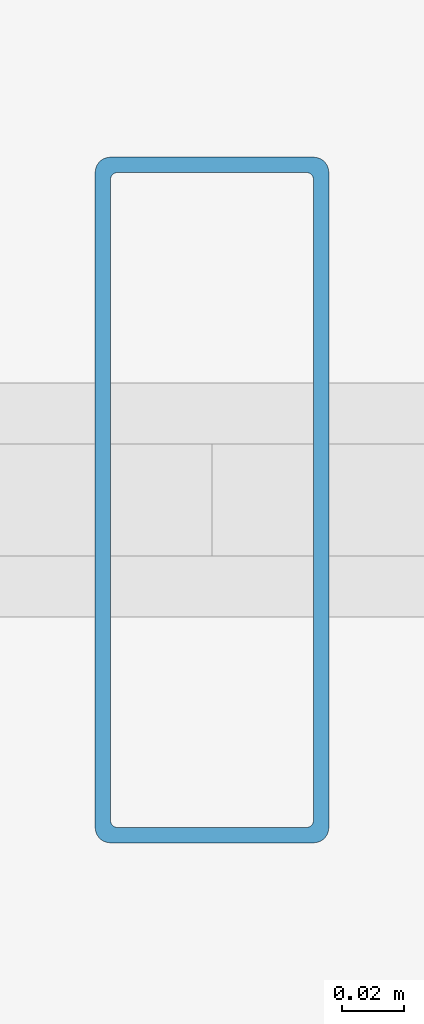
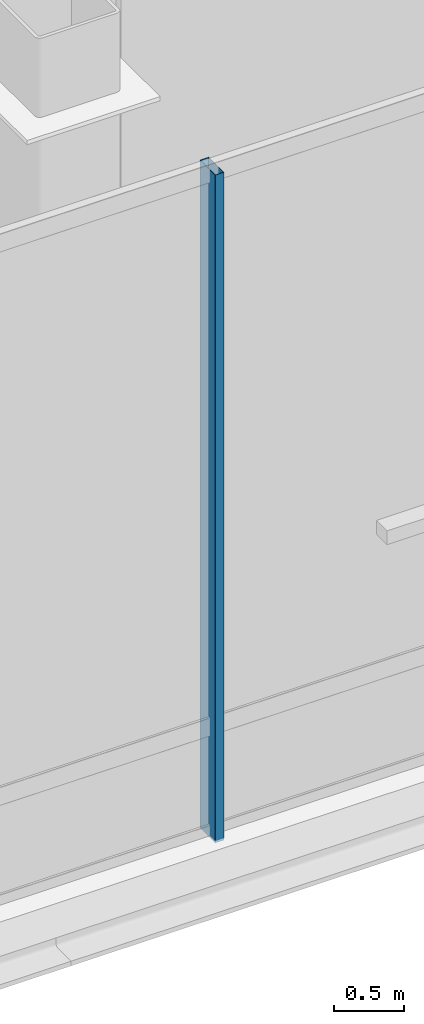
# One storey, part 7 of 19: 1 member, 1 element without a shape of its own.
"""IFC4 building model written with IfcOpenShell, lengths in metres."""

import ifcopenshell
import ifcopenshell.guid

model = None  # the IFC model being written
_history = None  # IfcOwnerHistory: only IFC2X3 demands one
_inside = {}  # id of a spatial element -> (the spatial element, [elements in it])
_under = {}  # id of a project, library or spatial element -> (it, [spatial elements below it])
_declared = {}  # id of a project -> (the project, [libraries it declares])
_typed = {}  # id of a type object -> (the type object, [elements of that type])
_made_of = {}  # id of a material, layer set ... -> (it, [elements and type objects made of it])


def new_model(schema):
    """Start an empty IFC model of exactly this schema.

    Asked for "IFC4X3", IfcOpenShell would pick the latest addendum, in which some entities
    have other attributes; the version numbers below select the first issue.
    IFC2X3 requires an IfcOwnerHistory on every rooted entity: one is made here for all.
    """
    global model, _history
    if schema == "IFC4X3":
        model = ifcopenshell.file(schema_version=(4, 3, 0, 0))
    else:
        model = ifcopenshell.file(schema=schema)
    _inside.clear()
    _under.clear()
    _declared.clear()
    _typed.clear()
    _made_of.clear()
    _history = None
    if model.schema == "IFC2X3":
        org = make("IfcOrganization", Name="unknown")
        user = make(
            "IfcPersonAndOrganization",
            ThePerson=make("IfcPerson", FamilyName="unknown"),
            TheOrganization=org,
        )
        app = make(
            "IfcApplication",
            ApplicationDeveloper=org,
            Version="unknown",
            ApplicationFullName="unknown",
            ApplicationIdentifier="unknown",
        )
        _history = make(
            "IfcOwnerHistory",
            OwningUser=user,
            OwningApplication=app,
            ChangeAction="ADDED",
            CreationDate=0,
        )
    return model


def make(cls, **values):
    """One entity of the class cls with the attributes given. An attribute that is None is left unset."""
    return model.create_entity(
        cls, **{name: value for name, value in values.items() if value is not None}
    )


def rooted(cls, **values):
    """An entity with a GlobalId (a new one), such as an element, a storey or a relation."""
    return make(cls, GlobalId=ifcopenshell.guid.new(), OwnerHistory=_history, **values)


def si_unit(unit_type, name, prefix=None):
    """IfcSIUnit, for example si_unit("LENGTHUNIT", "METRE", prefix="MILLI")."""
    return make("IfcSIUnit", UnitType=unit_type, Prefix=prefix, Name=name)


def assignment(units):
    """IfcUnitAssignment: the units of a project."""
    return None if units is None else make("IfcUnitAssignment", Units=units)


def point(xyz):
    """IfcCartesianPoint."""
    return None if xyz is None else make("IfcCartesianPoint", Coordinates=xyz)


def direction(xyz):
    """IfcDirection."""
    return None if xyz is None else make("IfcDirection", DirectionRatios=xyz)


def frame(location, z_axis=None, x_axis=None):
    """IfcAxis2Placement3D, a coordinate frame: its origin and axes. An axis left out is left unset."""
    return make(
        "IfcAxis2Placement3D",
        Location=point(location),
        Axis=direction(z_axis),
        RefDirection=direction(x_axis),
    )


def frame_2d(location, x_axis=None):
    """IfcAxis2Placement2D, a coordinate frame in the plane: its origin and x axis."""
    return make(
        "IfcAxis2Placement2D", Location=point(location), RefDirection=direction(x_axis)
    )


def origin():
    """The frame at (0, 0, 0) with its axes left unset."""
    return frame((0.0, 0.0, 0.0))


def origin_2d():
    """The frame at (0, 0) in the plane with its x axis left unset."""
    return frame_2d((0.0, 0.0))


def place(relative_to, where):
    """IfcLocalPlacement: puts the frame where relative to a parent placement (None: the world)."""
    return make(
        "IfcLocalPlacement", PlacementRelTo=relative_to, RelativePlacement=where
    )


def context(
    kind, dimensions, precision=None, world=None, true_north=None, identifier=None
):
    """IfcGeometricRepresentationContext, for example the 3D "Model" context."""
    return make(
        "IfcGeometricRepresentationContext",
        ContextIdentifier=identifier,
        ContextType=kind,
        CoordinateSpaceDimension=dimensions,
        Precision=precision,
        WorldCoordinateSystem=world,
        TrueNorth=true_north,
    )


def subcontext(parent, identifier, kind, view, scale=None):
    """IfcGeometricRepresentationSubContext, for example "Body" below "Model"."""
    return make(
        "IfcGeometricRepresentationSubContext",
        ContextIdentifier=identifier,
        ContextType=kind,
        ParentContext=parent,
        TargetScale=scale,
        TargetView=view,
    )


def project(units=None, contexts=None):
    """IfcProject with its units and contexts."""
    return rooted(
        "IfcProject",
        Name="project",
        RepresentationContexts=contexts,
        UnitsInContext=assignment(units),
    )


def spatial(cls, under=None, at=None, **own):
    """A site, building, storey or space (cls), placed at a placement, below another one or the project."""
    s = rooted(cls, ObjectPlacement=at, **own)
    if under is not None:
        _under.setdefault(under.id(), (under, []))[1].append(s)
    return s


def profile(cls, at=None, kind="AREA", **sizes):
    """A parametric profile (cls). Its sizes go by their IFC names, for example OverallWidth=200.0."""
    return make(cls, ProfileType=kind, Position=at, **sizes)


def hollow_rectangle(**sizes):
    """IfcRectangleHollowProfileDef."""
    return profile("IfcRectangleHollowProfileDef", **sizes)


def extrude(swept, where, along, depth):
    """IfcExtrudedAreaSolid: the profile swept, set in the frame where, extruded along a direction by depth."""
    return make(
        "IfcExtrudedAreaSolid",
        SweptArea=swept,
        Position=where,
        ExtrudedDirection=direction(along),
        Depth=depth,
    )


def shape(context_of_items, identifier, shape_type, items):
    """IfcShapeRepresentation: the items that make up one representation, for example the "Body"."""
    return make(
        "IfcShapeRepresentation",
        ContextOfItems=context_of_items,
        RepresentationIdentifier=identifier,
        RepresentationType=shape_type,
        Items=items,
    )


def material(Name=None, Category=None):
    """IfcMaterial."""
    return make("IfcMaterial", Name=Name, Category=Category)


def material_profile(
    of_material, cross_section, Name=None, Category=None, Priority=None
):
    """IfcMaterialProfile: a cross section and its material."""
    return make(
        "IfcMaterialProfile",
        Name=Name,
        Material=of_material,
        Profile=cross_section,
        Priority=Priority,
        Category=Category,
    )


def profile_set(profiles, Name=None, composite=None):
    """IfcMaterialProfileSet."""
    return make(
        "IfcMaterialProfileSet",
        Name=Name,
        MaterialProfiles=profiles,
        CompositeProfile=composite,
    )


def made_of(thing, what):
    """Note that an element or type object is made of a material, layer set ...; save() writes the relation."""
    if what is not None:
        _made_of.setdefault(what.id(), (what, []))[1].append(thing)
    return thing


def type_object(cls, material=None, **own):
    """A type object (cls), such as IfcWallType, which elements share."""
    return made_of(rooted(cls, **own), material)


def element(
    cls,
    number,
    at=None,
    inside=None,
    cuts=None,
    type_object=None,
    material=None,
    context=None,
    identifier="Body",
    shape_type=None,
    held_by="IfcProductDefinitionShape",
    body=None,
    shapes=None,
    **own,
):
    """One element of the class cls, such as IfcWall. Its Tag is "e" and its number.

    at: its placement. inside: the storey or other place that contains it. cuts: it is an
    opening in that element (IfcRelVoidsElement). A single representation is given by context,
    identifier, shape_type and body (its items); several are given by shapes. held_by: the class
    of the entity that holds the representations. save() writes the other relations.
    """
    e = rooted(cls, Tag="e%d" % number, ObjectPlacement=at, **own)
    if body is not None:
        shapes = [shape(context, identifier, shape_type, body)]
    if shapes is not None:
        e.Representation = make(held_by, Representations=shapes)
    if inside is not None:
        _inside.setdefault(inside.id(), (inside, []))[1].append(e)
    if cuts is not None:
        rooted(
            "IfcRelVoidsElement", RelatingBuildingElement=cuts, RelatedOpeningElement=e
        )
    if type_object is not None:
        _typed.setdefault(type_object.id(), (type_object, []))[1].append(e)
    return made_of(e, material)


def aggregate(whole, parts):
    """IfcRelAggregates: a whole, such as a stair, and the parts it consists of."""
    return rooted("IfcRelAggregates", RelatingObject=whole, RelatedObjects=parts)


def save(model, path):
    """Write the relations noted so far, then the file.

    IfcRelAggregates (storeys below a building ...), IfcRelContainedInSpatialStructure (elements
    in a storey), IfcRelDefinesByType, IfcRelAssociatesMaterial and IfcRelDeclares: one each for
    every whole, place, type object, material and project.
    """
    for whole, parts in _under.values():
        aggregate(whole, parts)
    for where, things in _inside.values():
        rooted(
            "IfcRelContainedInSpatialStructure",
            RelatedElements=things,
            RelatingStructure=where,
        )
    for kind, things in _typed.values():
        rooted("IfcRelDefinesByType", RelatedObjects=things, RelatingType=kind)
    for what, things in _made_of.values():
        rooted("IfcRelAssociatesMaterial", RelatedObjects=things, RelatingMaterial=what)
    for by, libraries in _declared.values():
        rooted("IfcRelDeclares", RelatingContext=by, RelatedDefinitions=libraries)
    model.write(path)


model = new_model("IFC4")

# Units and contexts
model_context = context("Model", 3, precision=1e-05, world=origin(), true_north=direction((0.0, 1.0)))
body_context = subcontext(model_context, "Body", "Model", "MODEL_VIEW")
ifc_project = project(units=[si_unit("LENGTHUNIT", "METRE"), si_unit("AREAUNIT", "SQUARE_METRE"), si_unit("VOLUMEUNIT", "CUBIC_METRE"), si_unit("PLANEANGLEUNIT", "RADIAN"), si_unit("MASSUNIT", "GRAM", prefix="KILO")], contexts=[model_context])

# Site, building, storey
site_placement = place(None, origin())
site = spatial("IfcSite", under=ifc_project, at=site_placement, CompositionType="ELEMENT")
building_placement = place(site_placement, origin())
building = spatial("IfcBuilding", under=site, at=building_placement, Name="Noeulbin Bourse Tower", CompositionType="ELEMENT")
storey_placement = place(building_placement, frame((0.0, 0.0, 306.0)))
storey = spatial("IfcBuildingStorey", under=building, at=storey_placement, Name="L76", CompositionType="ELEMENT", Elevation=306.0)

# Curtain wall, member
ifc_material_1 = material(Name="Translucent Ceramic-Fritted Glass", Category="glass")
curtain_wall_type = type_object("IfcCurtainWallType", Name="CW-SYS-5", PredefinedType="NOTDEFINED", material=ifc_material_1)
curtain_wall_placement = place(storey_placement, origin())
curtain_wall = element("IfcCurtainWall", 1, at=curtain_wall_placement, inside=storey, type_object=curtain_wall_type, Name="Unitised Curtain Wall CW-L76-S1", PredefinedType="NOTDEFINED")
ifc_material_2 = material(Name="Anodised Aluminium 6063-T6", Category="aluminium")
ifc_material_profile = material_profile(ifc_material_2, hollow_rectangle(XDim=0.074951171875, YDim=0.219970703125, WallThickness=0.0048828125, InnerFilletRadius=0.00244140625, OuterFilletRadius=0.0048828125, at=origin_2d()), Name="ALU-MULL-75x220x5", Category="LoadBearing")
ifc_profile_set = profile_set([ifc_material_profile], Name="Anodised Aluminium 6063-T6")
member_type = type_object("IfcMemberType", Name="CW-SYS-5-MUL", PredefinedType="MULLION", material=ifc_profile_set)
member_placement = place(storey_placement, frame((31.5, 18.6201171875, -0.02001953125), z_axis=(0.0, 0.0, 1.0), x_axis=(1.0, 0.0, 0.0)))
member = element("IfcMember", 2, at=member_placement, type_object=member_type, Name="Curtain Wall Mullion CW-L76-S1-M04", PredefinedType="MULLION", context=body_context, shape_type="SweptSolid", body=[
    extrude(hollow_rectangle(XDim=0.074951171875, YDim=0.219970703125, WallThickness=0.0048828125, InnerFilletRadius=0.00244140625, OuterFilletRadius=0.0048828125, at=origin_2d()), origin(), (0.0, 0.0, 1.0), 5.840087890625),
])
aggregate(curtain_wall, [member])

save(model, "model.ifc")
